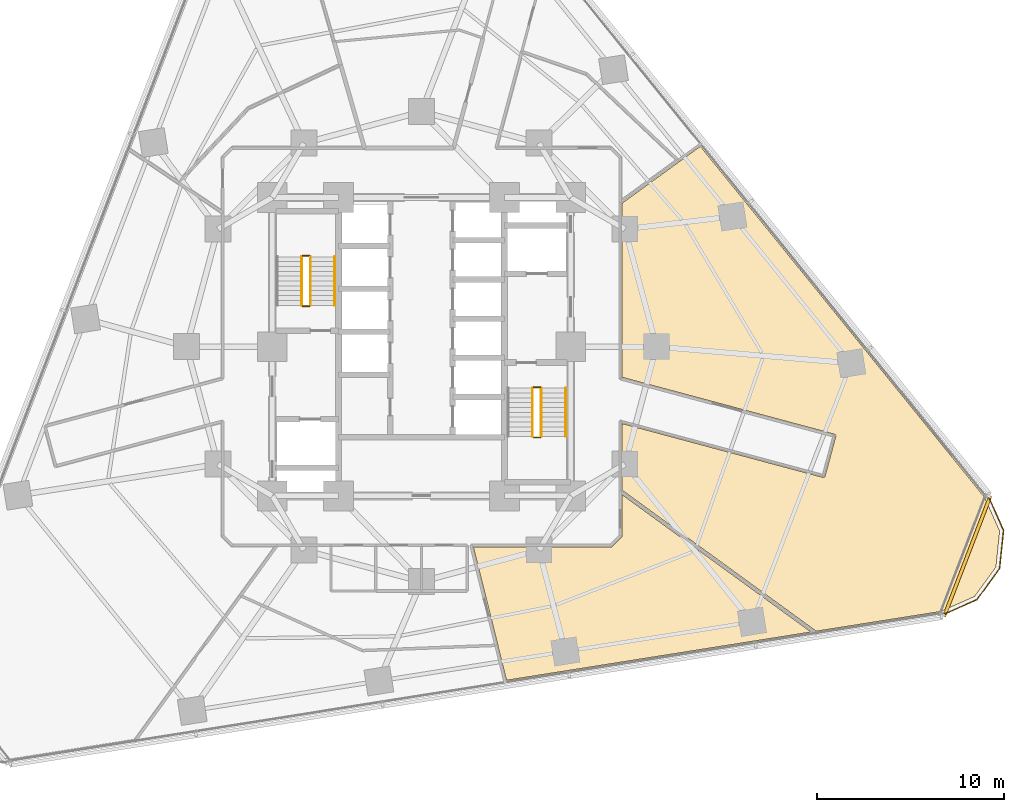
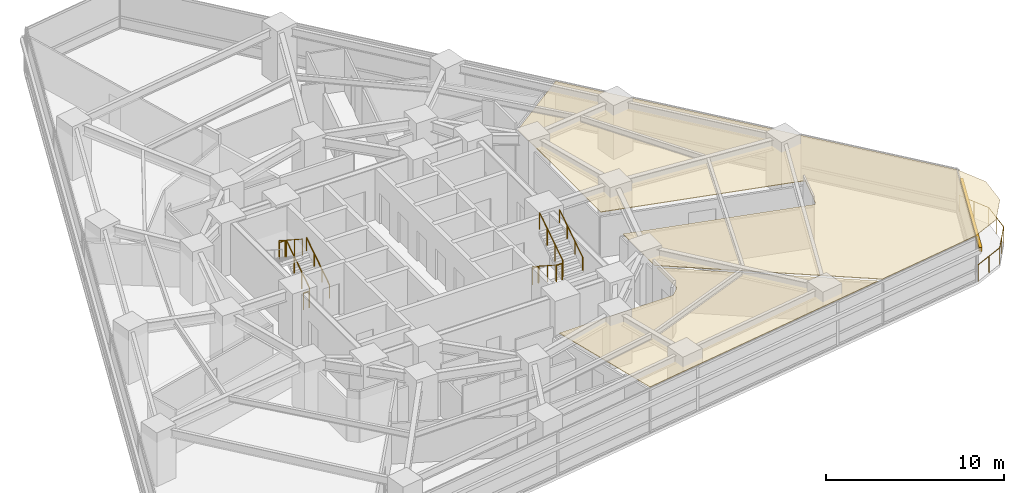
# One storey, part 12 of 13: 11 railings, 2 coverings, 1 shading device.
"""IFC4 building model written with IfcOpenShell, lengths in metres."""

import ifcopenshell
import ifcopenshell.guid

model = None  # the IFC model being written
_history = None  # IfcOwnerHistory: only IFC2X3 demands one
_inside = {}  # id of a spatial element -> (the spatial element, [elements in it])
_under = {}  # id of a project, library or spatial element -> (it, [spatial elements below it])
_declared = {}  # id of a project -> (the project, [libraries it declares])
_typed = {}  # id of a type object -> (the type object, [elements of that type])
_made_of = {}  # id of a material, layer set ... -> (it, [elements and type objects made of it])


def new_model(schema):
    """Start an empty IFC model of exactly this schema.

    Asked for "IFC4X3", IfcOpenShell would pick the latest addendum, in which some entities
    have other attributes; the version numbers below select the first issue.
    IFC2X3 requires an IfcOwnerHistory on every rooted entity: one is made here for all.
    """
    global model, _history
    if schema == "IFC4X3":
        model = ifcopenshell.file(schema_version=(4, 3, 0, 0))
    else:
        model = ifcopenshell.file(schema=schema)
    _inside.clear()
    _under.clear()
    _declared.clear()
    _typed.clear()
    _made_of.clear()
    _history = None
    if model.schema == "IFC2X3":
        org = make("IfcOrganization", Name="unknown")
        user = make(
            "IfcPersonAndOrganization",
            ThePerson=make("IfcPerson", FamilyName="unknown"),
            TheOrganization=org,
        )
        app = make(
            "IfcApplication",
            ApplicationDeveloper=org,
            Version="unknown",
            ApplicationFullName="unknown",
            ApplicationIdentifier="unknown",
        )
        _history = make(
            "IfcOwnerHistory",
            OwningUser=user,
            OwningApplication=app,
            ChangeAction="ADDED",
            CreationDate=0,
        )
    return model


def make(cls, **values):
    """One entity of the class cls with the attributes given. An attribute that is None is left unset."""
    return model.create_entity(
        cls, **{name: value for name, value in values.items() if value is not None}
    )


def rooted(cls, **values):
    """An entity with a GlobalId (a new one), such as an element, a storey or a relation."""
    return make(cls, GlobalId=ifcopenshell.guid.new(), OwnerHistory=_history, **values)


def si_unit(unit_type, name, prefix=None):
    """IfcSIUnit, for example si_unit("LENGTHUNIT", "METRE", prefix="MILLI")."""
    return make("IfcSIUnit", UnitType=unit_type, Prefix=prefix, Name=name)


def assignment(units):
    """IfcUnitAssignment: the units of a project."""
    return None if units is None else make("IfcUnitAssignment", Units=units)


def point(xyz):
    """IfcCartesianPoint."""
    return None if xyz is None else make("IfcCartesianPoint", Coordinates=xyz)


def direction(xyz):
    """IfcDirection."""
    return None if xyz is None else make("IfcDirection", DirectionRatios=xyz)


def frame(location, z_axis=None, x_axis=None):
    """IfcAxis2Placement3D, a coordinate frame: its origin and axes. An axis left out is left unset."""
    return make(
        "IfcAxis2Placement3D",
        Location=point(location),
        Axis=direction(z_axis),
        RefDirection=direction(x_axis),
    )


def frame_2d(location, x_axis=None):
    """IfcAxis2Placement2D, a coordinate frame in the plane: its origin and x axis."""
    return make(
        "IfcAxis2Placement2D", Location=point(location), RefDirection=direction(x_axis)
    )


def origin():
    """The frame at (0, 0, 0) with its axes left unset."""
    return frame((0.0, 0.0, 0.0))


def origin_2d():
    """The frame at (0, 0) in the plane with its x axis left unset."""
    return frame_2d((0.0, 0.0))


def place(relative_to, where):
    """IfcLocalPlacement: puts the frame where relative to a parent placement (None: the world)."""
    return make(
        "IfcLocalPlacement", PlacementRelTo=relative_to, RelativePlacement=where
    )


def context(
    kind, dimensions, precision=None, world=None, true_north=None, identifier=None
):
    """IfcGeometricRepresentationContext, for example the 3D "Model" context."""
    return make(
        "IfcGeometricRepresentationContext",
        ContextIdentifier=identifier,
        ContextType=kind,
        CoordinateSpaceDimension=dimensions,
        Precision=precision,
        WorldCoordinateSystem=world,
        TrueNorth=true_north,
    )


def subcontext(parent, identifier, kind, view, scale=None):
    """IfcGeometricRepresentationSubContext, for example "Body" below "Model"."""
    return make(
        "IfcGeometricRepresentationSubContext",
        ContextIdentifier=identifier,
        ContextType=kind,
        ParentContext=parent,
        TargetScale=scale,
        TargetView=view,
    )


def project(units=None, contexts=None):
    """IfcProject with its units and contexts."""
    return rooted(
        "IfcProject",
        Name="project",
        RepresentationContexts=contexts,
        UnitsInContext=assignment(units),
    )


def spatial(cls, under=None, at=None, **own):
    """A site, building, storey or space (cls), placed at a placement, below another one or the project."""
    s = rooted(cls, ObjectPlacement=at, **own)
    if under is not None:
        _under.setdefault(under.id(), (under, []))[1].append(s)
    return s


def polyline(points):
    """IfcPolyline through the points."""
    return make("IfcPolyline", Points=[point(p) for p in points])


def profile(cls, at=None, kind="AREA", **sizes):
    """A parametric profile (cls). Its sizes go by their IFC names, for example OverallWidth=200.0."""
    return make(cls, ProfileType=kind, Position=at, **sizes)


def rectangle(**sizes):
    """IfcRectangleProfileDef."""
    return profile("IfcRectangleProfileDef", **sizes)


def circle(**sizes):
    """IfcCircleProfileDef."""
    return profile("IfcCircleProfileDef", **sizes)


def outline(outer, holes=None, kind="AREA"):
    """IfcArbitraryClosedProfileDef: a profile drawn as a closed curve; with holes, ...WithVoids."""
    if holes is None:
        return make("IfcArbitraryClosedProfileDef", ProfileType=kind, OuterCurve=outer)
    return make(
        "IfcArbitraryProfileDefWithVoids",
        ProfileType=kind,
        OuterCurve=outer,
        InnerCurves=holes,
    )


def extrude(swept, where, along, depth):
    """IfcExtrudedAreaSolid: the profile swept, set in the frame where, extruded along a direction by depth."""
    return make(
        "IfcExtrudedAreaSolid",
        SweptArea=swept,
        Position=where,
        ExtrudedDirection=direction(along),
        Depth=depth,
    )


def shape(context_of_items, identifier, shape_type, items):
    """IfcShapeRepresentation: the items that make up one representation, for example the "Body"."""
    return make(
        "IfcShapeRepresentation",
        ContextOfItems=context_of_items,
        RepresentationIdentifier=identifier,
        RepresentationType=shape_type,
        Items=items,
    )


def material(Name=None, Category=None):
    """IfcMaterial."""
    return make("IfcMaterial", Name=Name, Category=Category)


def layer(
    of_material, thickness, ventilated=None, Name=None, Category=None, Priority=None
):
    """IfcMaterialLayer: one layer of a wall or slab, of a material (None: an air gap)."""
    return make(
        "IfcMaterialLayer",
        Material=of_material,
        LayerThickness=thickness,
        IsVentilated=ventilated,
        Name=Name,
        Category=Category,
        Priority=Priority,
    )


def layer_set(layers, Name=None):
    """IfcMaterialLayerSet."""
    return make("IfcMaterialLayerSet", MaterialLayers=layers, LayerSetName=Name)


def made_of(thing, what):
    """Note that an element or type object is made of a material, layer set ...; save() writes the relation."""
    if what is not None:
        _made_of.setdefault(what.id(), (what, []))[1].append(thing)
    return thing


def type_object(cls, material=None, **own):
    """A type object (cls), such as IfcWallType, which elements share."""
    return made_of(rooted(cls, **own), material)


def element(
    cls,
    number,
    at=None,
    inside=None,
    cuts=None,
    type_object=None,
    material=None,
    context=None,
    identifier="Body",
    shape_type=None,
    held_by="IfcProductDefinitionShape",
    body=None,
    shapes=None,
    **own,
):
    """One element of the class cls, such as IfcWall. Its Tag is "e" and its number.

    at: its placement. inside: the storey or other place that contains it. cuts: it is an
    opening in that element (IfcRelVoidsElement). A single representation is given by context,
    identifier, shape_type and body (its items); several are given by shapes. held_by: the class
    of the entity that holds the representations. save() writes the other relations.
    """
    e = rooted(cls, Tag="e%d" % number, ObjectPlacement=at, **own)
    if body is not None:
        shapes = [shape(context, identifier, shape_type, body)]
    if shapes is not None:
        e.Representation = make(held_by, Representations=shapes)
    if inside is not None:
        _inside.setdefault(inside.id(), (inside, []))[1].append(e)
    if cuts is not None:
        rooted(
            "IfcRelVoidsElement", RelatingBuildingElement=cuts, RelatedOpeningElement=e
        )
    if type_object is not None:
        _typed.setdefault(type_object.id(), (type_object, []))[1].append(e)
    return made_of(e, material)


def aggregate(whole, parts):
    """IfcRelAggregates: a whole, such as a stair, and the parts it consists of."""
    return rooted("IfcRelAggregates", RelatingObject=whole, RelatedObjects=parts)


def save(model, path):
    """Write the relations noted so far, then the file.

    IfcRelAggregates (storeys below a building ...), IfcRelContainedInSpatialStructure (elements
    in a storey), IfcRelDefinesByType, IfcRelAssociatesMaterial and IfcRelDeclares: one each for
    every whole, place, type object, material and project.
    """
    for whole, parts in _under.values():
        aggregate(whole, parts)
    for where, things in _inside.values():
        rooted(
            "IfcRelContainedInSpatialStructure",
            RelatedElements=things,
            RelatingStructure=where,
        )
    for kind, things in _typed.values():
        rooted("IfcRelDefinesByType", RelatedObjects=things, RelatingType=kind)
    for what, things in _made_of.values():
        rooted("IfcRelAssociatesMaterial", RelatedObjects=things, RelatingMaterial=what)
    for by, libraries in _declared.values():
        rooted("IfcRelDeclares", RelatingContext=by, RelatedDefinitions=libraries)
    model.write(path)


model = new_model("IFC4")

# Units and contexts
model_context = context("Model", 3, precision=1e-05, world=origin(), true_north=direction((0.0, 1.0)))
body_context = subcontext(model_context, "Body", "Model", "MODEL_VIEW")
ifc_project = project(units=[si_unit("LENGTHUNIT", "METRE"), si_unit("AREAUNIT", "SQUARE_METRE"), si_unit("VOLUMEUNIT", "CUBIC_METRE"), si_unit("PLANEANGLEUNIT", "RADIAN"), si_unit("MASSUNIT", "GRAM", prefix="KILO")], contexts=[model_context])

# Site, building, storey
site_placement = place(None, origin())
site = spatial("IfcSite", under=ifc_project, at=site_placement, CompositionType="ELEMENT")
building_placement = place(site_placement, origin())
building = spatial("IfcBuilding", under=site, at=building_placement, Name="Terralouvre Media Tower", CompositionType="ELEMENT")
storey_placement = place(building_placement, frame((0.0, 0.0, 55.60009765625)))
storey = spatial("IfcBuildingStorey", under=building, at=storey_placement, Name="L13", CompositionType="ELEMENT", Elevation=55.60009765625)

# Coverings
ifc_material_1 = material(Name="Perforated aluminium acoustic ceiling baffle", Category="aluminium")
ifc_layer_1 = layer(ifc_material_1, 0.0400390625, Name="Perforated Acoustic Metal Tile Ceiling CL-AC1")
ifc_layer_set_1 = layer_set([ifc_layer_1], Name="Perforated aluminium acoustic ceiling baffle")
covering_type = type_object("IfcCoveringType", Name="Perforated Acoustic Metal Tile Ceiling CL-AC1", PredefinedType="CEILING", material=ifc_layer_set_1)
covering_1_placement = place(storey_placement, frame((0.0, 0.0, 2.97998046875), z_axis=(0.0, 0.0, 1.0), x_axis=(0.987688340595, 0.15643446504, 0.0)))
element("IfcCovering", 1, at=covering_1_placement, inside=storey, type_object=covering_type, Name="L13 Design Critique Boardroom 1 Acoustic Ceiling", PredefinedType="CEILING", context=body_context, shape_type="SweptSolid", body=[
    extrude(outline(polyline([(11.820068359375, 5.91064453125), (10.361328125, -3.2998046875), (21.134521484375, -8.09619140625), (21.143310546875, -8.1005859375), (21.151611328125, -8.10595703125), (21.159423828125, -8.112060546875), (21.16650390625, -8.118896484375), (21.1728515625, -8.126220703125), (21.178466796875, -8.13427734375), (21.183349609375, -8.142822265625), (21.187255859375, -8.15185546875), (21.1904296875, -8.1611328125), (21.1923828125, -8.170654296875), (21.193603515625, -8.180419921875), (21.19384765625, -8.190185546875), (21.193115234375, -8.199951171875), (21.19140625, -8.209716796875), (21.188720703125, -8.21923828125), (21.185302734375, -8.228271484375), (20.289794921875, -10.238037109375), (20.285400390625, -10.24658203125), (20.280029296875, -10.255126953125), (20.274169921875, -10.2626953125), (20.267333984375, -10.269775390625), (20.259765625, -10.2763671875), (20.251708984375, -10.281982421875), (20.2431640625, -10.28662109375), (20.234375, -10.29052734375), (20.22509765625, -10.293701171875), (20.21533203125, -10.2958984375), (20.20556640625, -10.297119140625), (20.19580078125, -10.297119140625), (20.18603515625, -10.29638671875), (20.176513671875, -10.294921875), (20.1669921875, -10.292236328125), (20.15771484375, -10.28857421875), (9.972900390625, -5.753173828125), (9.4150390625, -9.27392578125), (18.520263671875, -18.378173828125), (25.290771484375, -18.37890625), (27.196533203125, -17.8681640625), (28.56982421875, -16.494384765625), (29.072021484375, -14.617919921875), (28.561767578125, -12.71337890625), (16.447998046875, 8.26806640625), (15.200927734375, 7.633056640625), (11.820068359375, 5.91064453125)])), origin(), (0.0, 0.0, 1.0), 0.0400390625),
])
covering_2_placement = place(storey_placement, frame((0.0, 0.0, 2.97998046875), z_axis=(0.0, 0.0, 1.0), x_axis=(0.987688340595, 0.15643446504, 0.0)))
element("IfcCovering", 2, at=covering_2_placement, inside=storey, type_object=covering_type, Name="L13 Analytics Team Office 8 Acoustic Ceiling", PredefinedType="CEILING", context=body_context, shape_type="SweptSolid", body=[
    extrude(outline(polyline([(9.02978515625, -11.706787109375), (9.02783203125, -11.71630859375), (9.02490234375, -11.7255859375), (9.02099609375, -11.734619140625), (9.016357421875, -11.743408203125), (9.0107421875, -11.75146484375), (9.00439453125, -11.759033203125), (8.99755859375, -11.765869140625), (8.98974609375, -11.77197265625), (8.417724609375, -12.1875), (8.409423828125, -12.19287109375), (8.40087890625, -12.197509765625), (8.391845703125, -12.201171875), (8.38232421875, -12.203857421875), (8.372802734375, -12.205810546875), (8.363037109375, -12.20654296875), (8.35302734375, -12.20654296875), (8.34326171875, -12.20556640625), (1.067138671875, -11.052978515625), (1.538330078125, -16.432861328125), (1.7080078125, -18.37841796875), (18.237548828125, -18.378173828125), (9.37646484375, -9.51806640625), (9.02978515625, -11.706787109375)])), origin(), (0.0, 0.0, 1.0), 0.0400390625),
])

# Railings
ifc_material_2 = material(Name="Stainless steel 316 handrail and balustrade", Category="steel")
ifc_layer_2 = layer(ifc_material_2, 0.06005859375, Name="Roof Edge Safety Guardrail GR-ROOF1")
ifc_layer_set_2 = layer_set([ifc_layer_2], Name="Stainless steel 316 handrail and balustrade")
railing_type_1 = type_object("IfcRailingType", Name="Roof Edge Safety Guardrail GR-ROOF1", PredefinedType="GUARDRAIL", material=ifc_layer_set_2)
railing_1_placement = place(storey_placement, frame((27.904296875, -14.401611328125, 0.0)))
element("IfcRailing", 3, at=railing_1_placement, inside=storey, type_object=railing_type_1, Name="L13 Wind-Corner Perimeter Safety Guardrail C1", PredefinedType="GUARDRAIL", context=body_context, shape_type="SweptSolid", body=[
    extrude(circle(Radius=0.02099609375, at=origin_2d()), frame((0.0, 0.0, 1.12890625), z_axis=(0.91366973946, 0.40645738669, 0.0), x_axis=(-0.40645738669, 0.91366973946, 0.0)), (0.0, 0.0, 1.0), 2.0595703125),
    extrude(circle(Radius=0.02099609375, at=origin_2d()), frame((1.8818359375, 0.837158203125, 1.12890625), z_axis=(0.587868563624, 0.808956458595, 0.0), x_axis=(-0.808956458595, 0.587868563624, 0.0)), (0.0, 0.0, 1.0), 2.0595703125),
    extrude(circle(Radius=0.02099609375, at=origin_2d()), frame((3.092529296875, 2.503173828125, 1.12890625), z_axis=(0.104456420886, 0.99452946469, 0.0), x_axis=(-0.99452946469, 0.104456420886, 0.0)), (0.0, 0.0, 1.0), 2.05908203125),
    extrude(circle(Radius=0.02099609375, at=origin_2d()), frame((3.3076171875, 4.551025390625, 1.12890625), z_axis=(-0.406996026336, 0.913429928646, 0.0), x_axis=(-0.913429928646, -0.406996026336, 0.0)), (0.0, 0.0, 1.0), 2.059814453125),
    extrude(circle(Radius=0.01904296875, at=origin_2d()), origin(), (0.0, 0.0, 1.0), 1.10791015625),
    extrude(circle(Radius=0.01904296875, at=origin_2d()), frame((0.94091796875, 0.41845703125, 0.0)), (0.0, 0.0, 1.0), 1.10791015625),
    extrude(circle(Radius=0.01904296875, at=origin_2d()), frame((1.8818359375, 0.837158203125, 0.0)), (0.0, 0.0, 1.0), 1.10791015625),
    extrude(circle(Radius=0.01904296875, at=origin_2d()), frame((2.4873046875, 1.670166015625, 0.0)), (0.0, 0.0, 1.0), 1.10791015625),
    extrude(circle(Radius=0.01904296875, at=origin_2d()), frame((3.092529296875, 2.503173828125, 0.0)), (0.0, 0.0, 1.0), 1.10791015625),
    extrude(circle(Radius=0.01904296875, at=origin_2d()), frame((3.2001953125, 3.527099609375, 0.0)), (0.0, 0.0, 1.0), 1.10791015625),
    extrude(circle(Radius=0.01904296875, at=origin_2d()), frame((3.3076171875, 4.551025390625, 0.0)), (0.0, 0.0, 1.0), 1.10791015625),
    extrude(circle(Radius=0.01904296875, at=origin_2d()), frame((2.888427734375, 5.49169921875, 0.0)), (0.0, 0.0, 1.0), 1.10791015625),
    extrude(circle(Radius=0.01904296875, at=origin_2d()), frame((2.46923828125, 6.4326171875, 0.0)), (0.0, 0.0, 1.0), 1.10791015625),
])
ifc_material_3 = material(Name="Stainless steel 316 handrail and balustrade", Category="steel")
ifc_layer_3 = layer(ifc_material_3, 0.050048828125, Name="Stair Flight Wall Handrail HR-INT1")
ifc_layer_set_3 = layer_set([ifc_layer_3], Name="Stainless steel 316 handrail and balustrade")
railing_type_2 = type_object("IfcRailingType", Name="Stair Flight Wall Handrail HR-INT1", PredefinedType="HANDRAIL", material=ifc_layer_set_3)
for number, where, name in (
    (4, (-4.64990234375, 2.219970703125, 0.16796875), "L13 ST-01 stair handrail 1"),
    (5, (7.72998046875, -4.820068359375, 2.01806640625), "L13 ST-02 stair handrail 2"),
):
    element("IfcRailing", number, at=place(storey_placement, frame(where)), inside=storey, type_object=railing_type_2, Name=name, PredefinedType="HANDRAIL", context=body_context, shape_type="SweptSolid", body=[
        extrude(circle(Radius=0.02392578125, at=origin_2d()), frame((0.0, 0.0, 0.8759765625), z_axis=(0.0, 0.839648411786, 0.543130320075), x_axis=(-1.0, 0.0, 0.0)), (0.0, 0.0, 1.0), 3.0966796875),
        extrude(circle(Radius=0.02099609375, at=origin_2d()), origin(), (0.0, 0.0, 1.0), 0.851806640625),
        extrude(circle(Radius=0.02099609375, at=origin_2d()), frame((0.0, 0.86669921875, 0.560546875)), (0.0, 0.0, 1.0), 0.851806640625),
        extrude(circle(Radius=0.02099609375, at=origin_2d()), frame((0.0, 1.7333984375, 1.121337890625)), (0.0, 0.0, 1.0), 0.851806640625),
        extrude(circle(Radius=0.02099609375, at=origin_2d()), frame((0.0, 2.60009765625, 1.681884765625)), (0.0, 0.0, 1.0), 0.851806640625),
    ])
ifc_material_4 = material(Name="Stainless steel 316 handrail and balustrade", Category="steel")
ifc_layer_4 = layer(ifc_material_4, 0.050048828125, Name="Stairwell Safety Guardrail GR-INT1")
ifc_layer_set_4 = layer_set([ifc_layer_4], Name="Stainless steel 316 handrail and balustrade")
railing_type_3 = type_object("IfcRailingType", Name="Stairwell Safety Guardrail GR-INT1", PredefinedType="GUARDRAIL", material=ifc_layer_set_4)
railing_2_placement = place(storey_placement, frame((-5.949951171875, 2.219970703125, 0.16796875)))
element("IfcRailing", 6, at=railing_2_placement, inside=storey, type_object=railing_type_3, Name="L13 ST-01 stair guard 1", PredefinedType="GUARDRAIL", context=body_context, shape_type="SweptSolid", body=[
    extrude(circle(Radius=0.02392578125, at=origin_2d()), frame((0.0, 0.0, 1.1259765625), z_axis=(0.0, 0.839648411786, 0.543130320075), x_axis=(-1.0, 0.0, 0.0)), (0.0, 0.0, 1.0), 3.0966796875),
    extrude(circle(Radius=0.02099609375, at=origin_2d()), origin(), (0.0, 0.0, 1.0), 1.101806640625),
    extrude(circle(Radius=0.02099609375, at=origin_2d()), frame((0.0, 0.86669921875, 0.560546875)), (0.0, 0.0, 1.0), 1.101806640625),
    extrude(circle(Radius=0.02099609375, at=origin_2d()), frame((0.0, 1.7333984375, 1.121337890625)), (0.0, 0.0, 1.0), 1.101806640625),
    extrude(circle(Radius=0.02099609375, at=origin_2d()), frame((0.0, 2.60009765625, 1.681884765625)), (0.0, 0.0, 1.0), 1.101806640625),
])
railing_3_placement = place(storey_placement, frame((-6.0, 4.8701171875, 1.849853515625)))
element("IfcRailing", 7, at=railing_3_placement, inside=storey, type_object=railing_type_3, Name="L13 ST-01 stair guard 2", PredefinedType="GUARDRAIL", context=body_context, shape_type="SweptSolid", body=[
    extrude(circle(Radius=0.02392578125, at=origin_2d()), frame((0.0, 0.0, 1.1259765625), z_axis=(-1.0, 0.0, 0.0), x_axis=(0.0, -1.0, 0.0)), (0.0, 0.0, 1.0), 0.3798828125),
    extrude(circle(Radius=0.02099609375, at=origin_2d()), origin(), (0.0, 0.0, 1.0), 1.101806640625),
    extrude(circle(Radius=0.02099609375, at=origin_2d()), frame((-0.3798828125, 0.0, 0.0)), (0.0, 0.0, 1.0), 1.101806640625),
])
railing_4_placement = place(storey_placement, frame((-6.429931640625, 4.820068359375, 2.01806640625)))
element("IfcRailing", 8, at=railing_4_placement, inside=storey, type_object=railing_type_3, Name="L13 ST-01 stair guard 3", PredefinedType="GUARDRAIL", context=body_context, shape_type="SweptSolid", body=[
    extrude(circle(Radius=0.02392578125, at=origin_2d()), frame((0.0, 0.0, 1.1259765625), z_axis=(0.0, -0.839648411786, 0.543130320075), x_axis=(1.0, 0.0, 0.0)), (0.0, 0.0, 1.0), 3.0966796875),
    extrude(circle(Radius=0.02099609375, at=origin_2d()), origin(), (0.0, 0.0, 1.0), 1.101806640625),
    extrude(circle(Radius=0.02099609375, at=origin_2d()), frame((0.0, -0.86669921875, 0.560546875)), (0.0, 0.0, 1.0), 1.101806640625),
    extrude(circle(Radius=0.02099609375, at=origin_2d()), frame((0.0, -1.7333984375, 1.121337890625)), (0.0, 0.0, 1.0), 1.101806640625),
    extrude(circle(Radius=0.02099609375, at=origin_2d()), frame((0.0, -2.60009765625, 1.681884765625)), (0.0, 0.0, 1.0), 1.101806640625),
])
railing_5_placement = place(storey_placement, frame((-6.0, 2.169921875, 0.0)))
element("IfcRailing", 9, at=railing_5_placement, inside=storey, type_object=railing_type_3, Name="L13 ST-01 stair guard 4", PredefinedType="GUARDRAIL", context=body_context, shape_type="SweptSolid", body=[
    extrude(circle(Radius=0.02392578125, at=origin_2d()), frame((0.0, 0.0, 1.1259765625), z_axis=(-1.0, 0.0, 0.0), x_axis=(0.0, -1.0, 0.0)), (0.0, 0.0, 1.0), 0.3798828125),
    extrude(circle(Radius=0.02099609375, at=origin_2d()), origin(), (0.0, 0.0, 1.0), 1.101806640625),
    extrude(circle(Radius=0.02099609375, at=origin_2d()), frame((-0.3798828125, 0.0, 0.0)), (0.0, 0.0, 1.0), 1.101806640625),
])
railing_6_placement = place(storey_placement, frame((5.949951171875, -2.219970703125, 0.16796875)))
element("IfcRailing", 10, at=railing_6_placement, inside=storey, type_object=railing_type_3, Name="L13 ST-02 stair guard 1", PredefinedType="GUARDRAIL", context=body_context, shape_type="SweptSolid", body=[
    extrude(circle(Radius=0.02392578125, at=origin_2d()), frame((0.0, 0.0, 1.1259765625), z_axis=(0.0, -0.839648411786, 0.543130320075), x_axis=(1.0, 0.0, 0.0)), (0.0, 0.0, 1.0), 3.0966796875),
    extrude(circle(Radius=0.02099609375, at=origin_2d()), origin(), (0.0, 0.0, 1.0), 1.101806640625),
    extrude(circle(Radius=0.02099609375, at=origin_2d()), frame((0.0, -0.86669921875, 0.560546875)), (0.0, 0.0, 1.0), 1.101806640625),
    extrude(circle(Radius=0.02099609375, at=origin_2d()), frame((0.0, -1.7333984375, 1.121337890625)), (0.0, 0.0, 1.0), 1.101806640625),
    extrude(circle(Radius=0.02099609375, at=origin_2d()), frame((0.0, -2.60009765625, 1.681884765625)), (0.0, 0.0, 1.0), 1.101806640625),
])
railing_7_placement = place(storey_placement, frame((6.0, -4.8701171875, 1.849853515625)))
element("IfcRailing", 11, at=railing_7_placement, inside=storey, type_object=railing_type_3, Name="L13 ST-02 stair guard 2", PredefinedType="GUARDRAIL", context=body_context, shape_type="SweptSolid", body=[
    extrude(circle(Radius=0.02392578125, at=origin_2d()), frame((0.0, 0.0, 1.1259765625), z_axis=(1.0, 0.0, 0.0), x_axis=(0.0, 1.0, 0.0)), (0.0, 0.0, 1.0), 0.3798828125),
    extrude(circle(Radius=0.02099609375, at=origin_2d()), origin(), (0.0, 0.0, 1.0), 1.101806640625),
    extrude(circle(Radius=0.02099609375, at=origin_2d()), frame((0.3798828125, 0.0, 0.0)), (0.0, 0.0, 1.0), 1.101806640625),
])
railing_8_placement = place(storey_placement, frame((6.429931640625, -4.820068359375, 2.01806640625)))
element("IfcRailing", 12, at=railing_8_placement, inside=storey, type_object=railing_type_3, Name="L13 ST-02 stair guard 3", PredefinedType="GUARDRAIL", context=body_context, shape_type="SweptSolid", body=[
    extrude(circle(Radius=0.02392578125, at=origin_2d()), frame((0.0, 0.0, 1.1259765625), z_axis=(0.0, 0.839648411786, 0.543130320075), x_axis=(-1.0, 0.0, 0.0)), (0.0, 0.0, 1.0), 3.0966796875),
    extrude(circle(Radius=0.02099609375, at=origin_2d()), origin(), (0.0, 0.0, 1.0), 1.101806640625),
    extrude(circle(Radius=0.02099609375, at=origin_2d()), frame((0.0, 0.86669921875, 0.560546875)), (0.0, 0.0, 1.0), 1.101806640625),
    extrude(circle(Radius=0.02099609375, at=origin_2d()), frame((0.0, 1.7333984375, 1.121337890625)), (0.0, 0.0, 1.0), 1.101806640625),
    extrude(circle(Radius=0.02099609375, at=origin_2d()), frame((0.0, 2.60009765625, 1.681884765625)), (0.0, 0.0, 1.0), 1.101806640625),
])
railing_9_placement = place(storey_placement, frame((6.0, -2.169921875, 0.0)))
element("IfcRailing", 13, at=railing_9_placement, inside=storey, type_object=railing_type_3, Name="L13 ST-02 stair guard 4", PredefinedType="GUARDRAIL", context=body_context, shape_type="SweptSolid", body=[
    extrude(circle(Radius=0.02392578125, at=origin_2d()), frame((0.0, 0.0, 1.1259765625), z_axis=(1.0, 0.0, 0.0), x_axis=(0.0, 1.0, 0.0)), (0.0, 0.0, 1.0), 0.3798828125),
    extrude(circle(Radius=0.02099609375, at=origin_2d()), origin(), (0.0, 0.0, 1.0), 1.101806640625),
    extrude(circle(Radius=0.02099609375, at=origin_2d()), frame((0.3798828125, 0.0, 0.0)), (0.0, 0.0, 1.0), 1.101806640625),
])

# Shading device
ifc_material_5 = material(Name="Extruded terracotta baguette sunshade louvres", Category="masonry")
shading_device_type = type_object("IfcShadingDeviceType", Name="Terracotta Baguette Sunshade Louvre Screen TB-LV1", PredefinedType="USERDEFINED", material=ifc_material_5)
shading_device_placement = place(storey_placement, frame((29.264892578125, -11.23388671875, 2.02392578125), z_axis=(0.0, 0.0, 1.0), x_axis=(0.358367472863, 0.933580609478, 0.0)))
element("IfcShadingDevice", 14, at=shading_device_placement, inside=storey, type_object=shading_device_type, Name="CW-L13-C1 Terracotta Baguette Sunshade Louvre", ObjectType="BAGUETTE", PredefinedType="USERDEFINED", context=body_context, shape_type="SweptSolid", body=[
    extrude(rectangle(XDim=6.8935546875, YDim=0.179931640625, at=origin_2d()), origin(), (0.0, 0.0, 1.0), 0.280029296875),
])

save(model, "model.ifc")
